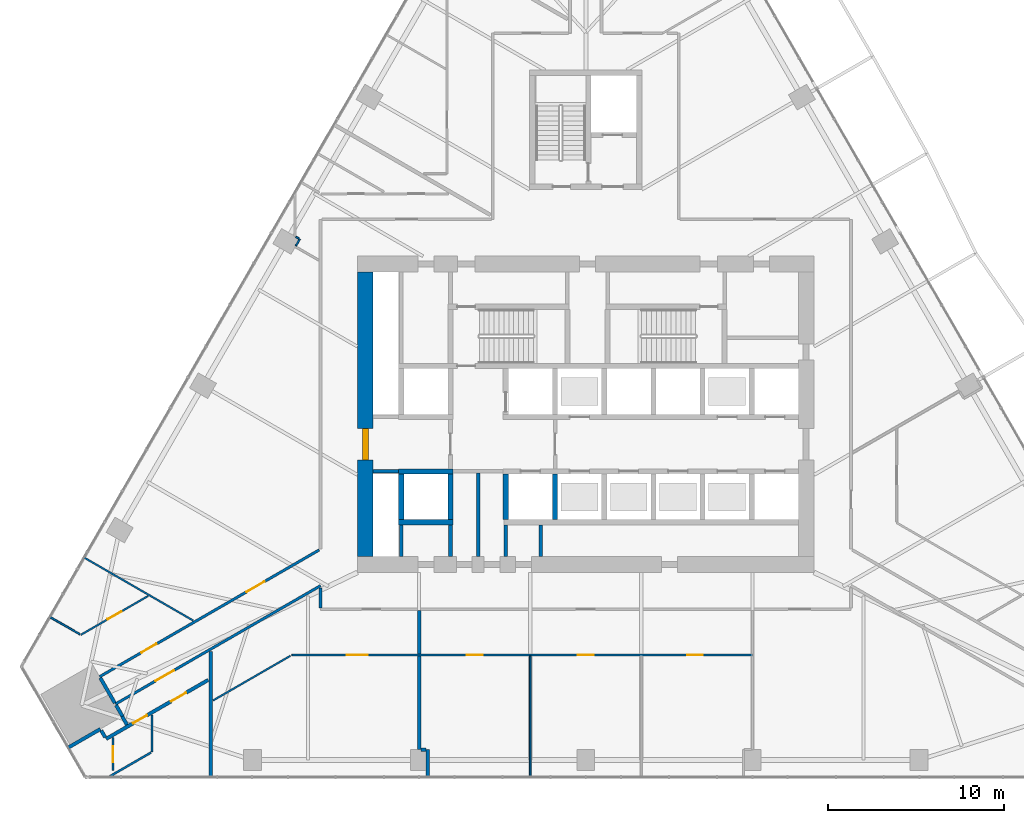
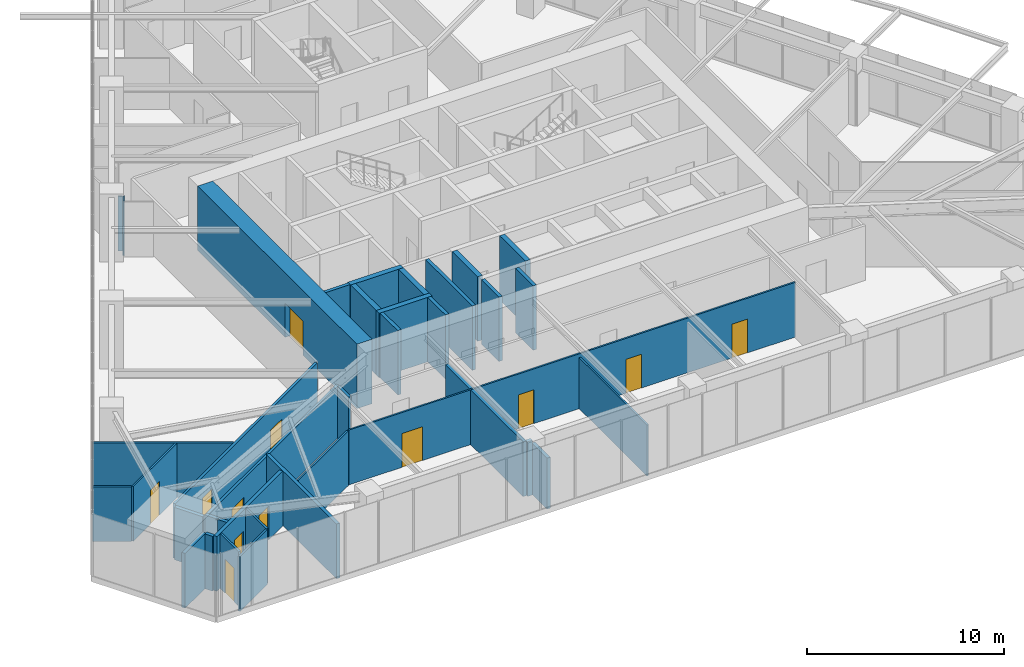
# One storey, part 20 of 26: 38 walls, 12 doors, 12 openings.
"""IFC4 building model written with IfcOpenShell, lengths in metres."""

from ifc_helpers import new_model, si_unit, direction, frame, frame_2d, origin, place, context, subcontext, project, spatial, rectangle, extrude, material, layer, layer_set, type_object, element, fill, save


model = new_model("IFC4")

# Units and contexts
model_context = context("Model", 3, precision=1e-05, world=origin(), true_north=direction((0.0, 1.0)))
body_context = subcontext(model_context, "Body", "Model", "MODEL_VIEW")
ifc_project = project(units=[si_unit("LENGTHUNIT", "METRE"), si_unit("AREAUNIT", "SQUARE_METRE"), si_unit("VOLUMEUNIT", "CUBIC_METRE"), si_unit("PLANEANGLEUNIT", "RADIAN"), si_unit("MASSUNIT", "GRAM", prefix="KILO")], contexts=[model_context])

# Site, building, storey
site_placement = place(None, origin())
site = spatial("IfcSite", under=ifc_project, at=site_placement, CompositionType="ELEMENT")
building_placement = place(site_placement, origin())
building = spatial("IfcBuilding", under=site, at=building_placement, Name="Firuza Gate Tower and Library", CompositionType="ELEMENT")
storey_placement = place(building_placement, frame((0.0, 0.0, 77.800048828125)))
storey = spatial("IfcBuildingStorey", under=building, at=storey_placement, Name="L17", CompositionType="ELEMENT", Elevation=77.800048828125)

# Walls
ifc_material_1 = material(Name="Plasterboard on steel studs", Category="steel")
ifc_layer_1 = layer(ifc_material_1, 0.199951171875)
ifc_layer_set_1 = layer_set([ifc_layer_1], Name="Core partition 200 EI 120")
wall_type_1 = type_object("IfcWallType", Name="Core partition 200 EI 120", PredefinedType="PARTITIONING", material=ifc_layer_set_1)
wall_1_placement = place(storey_placement, frame((62.89990234375, 71.75, 0.0), z_axis=(0.0, 0.0, 1.0), x_axis=(1.0, 0.0, 0.0)))
element("IfcWall", 1, at=wall_1_placement, inside=storey, type_object=wall_type_1, Name="Core partition L17 1", PredefinedType="PARTITIONING", context=body_context, shape_type="SweptSolid", body=[
    extrude(rectangle(XDim=1.4501953125, YDim=0.199951171875, at=frame_2d((0.72509765625, 0.0))), origin(), (0.0, 0.0, 1.0), 4.0),
])
for number, where, z_axis, x_axis, name in (
    (2, (64.5, 66.89990234375, 0.0), (0.0, 0.0, 1.0), (0.0, 1.0, 0.0), "Core partition L17 5"),
    (3, (67.300048828125, 66.89990234375, 0.0), (0.0, 0.0, 1.0), (0.0, 1.0, 0.0), "Core partition L17 7"),
):
    element("IfcWall", number, at=place(storey_placement, frame(where, z_axis=z_axis, x_axis=x_axis)), inside=storey, type_object=wall_type_1, Name=name, PredefinedType="PARTITIONING", context=body_context, shape_type="SweptSolid", body=[
        extrude(rectangle(XDim=1.800048828125, YDim=0.199951171875, at=frame_2d((0.89990234375, 0.0))), origin(), (0.0, 0.0, 1.0), 4.0),
    ])
wall_2_placement = place(storey_placement, frame((68.875, 66.89990234375, 0.0), z_axis=(0.0, 0.0, 1.0), x_axis=(0.0, 1.0, 0.0)))
element("IfcWall", 4, at=wall_2_placement, inside=storey, type_object=wall_type_1, Name="Core partition L17 10", PredefinedType="PARTITIONING", context=body_context, shape_type="SweptSolid", body=[
    extrude(rectangle(XDim=4.75, YDim=0.199951171875, at=frame_2d((2.375, 0.0))), origin(), (0.0, 0.0, 1.0), 4.0),
])
for number, where, z_axis, x_axis, name in (
    (5, (70.449951171875, 66.89990234375, 0.0), (0.0, 0.0, 1.0), (0.0, 1.0, 0.0), "Core partition L17 11"),
    (6, (72.447998046875, 66.89990234375, 0.0), (0.0, 0.0, 1.0), (0.0, 1.0, 0.0), "Core partition L17 12"),
):
    element("IfcWall", number, at=place(storey_placement, frame(where, z_axis=z_axis, x_axis=x_axis)), inside=storey, type_object=wall_type_1, Name=name, PredefinedType="PARTITIONING", context=body_context, shape_type="SweptSolid", body=[
        extrude(rectangle(XDim=1.800048828125, YDim=0.199951171875, at=frame_2d((0.89990234375, 0.0))), origin(), (0.0, 0.0, 1.0), 4.0),
    ])
ifc_material_2 = material(Name="Concrete C80/95", Category="concrete")
ifc_layer_2 = layer(ifc_material_2, 0.300048828125)
ifc_layer_set_2 = layer_set([ifc_layer_2], Name="Core wall 300 C80/95")
wall_type_2 = type_object("IfcWallType", Name="Core wall 300 C80/95", PredefinedType="SHEAR", material=ifc_layer_set_2)
for number, where, z_axis, x_axis, name in (
    (7, (64.35009765625, 68.85009765625, 0.0), (0.0, 0.0, 1.0), (1.0, 0.0, 0.0), "Core wall L17 5"),
    (8, (64.35009765625, 71.75, 0.0), (0.0, 0.0, 1.0), (1.0, 0.0, 0.0), "Core wall L17 7"),
):
    element("IfcWall", number, at=place(storey_placement, frame(where, z_axis=z_axis, x_axis=x_axis)), inside=storey, type_object=wall_type_2, Name=name, PredefinedType="SHEAR", context=body_context, shape_type="SweptSolid", body=[
        extrude(rectangle(XDim=3.099853515625, YDim=0.300048828125, at=frame_2d((1.5498046875, 0.0))), origin(), (0.0, 0.0, 1.0), 4.0),
    ])
for number, where, z_axis, x_axis, name in (
    (9, (64.5, 69.0, 0.0), (0.0, 0.0, 1.0), (0.0, 1.0, 0.0), "Core wall L17 11"),
    (10, (67.300048828125, 69.0, 0.0), (0.0, 0.0, 1.0), (0.0, 1.0, 0.0), "Core wall L17 13"),
    (11, (70.449951171875, 69.0, 0.0), (0.0, 0.0, 1.0), (0.0, 1.0, 0.0), "Core wall L17 15"),
    (12, (73.25, 69.0, 0.0), (0.0, 0.0, 1.0), (0.0, 1.0, 0.0), "Core wall L17 17"),
):
    element("IfcWall", number, at=place(storey_placement, frame(where, z_axis=z_axis, x_axis=x_axis)), inside=storey, type_object=wall_type_2, Name=name, PredefinedType="SHEAR", context=body_context, shape_type="SweptSolid", body=[
        extrude(rectangle(XDim=2.60009765625, YDim=0.300048828125, at=frame_2d((1.300048828125, 0.0))), origin(), (0.0, 0.0, 1.0), 4.0),
    ])

# Wall, opening, door
ifc_material_3 = material(Name="Concrete C80/95", Category="concrete")
ifc_layer_3 = layer(ifc_material_3, 0.89990234375)
ifc_layer_set_3 = layer_set([ifc_layer_3], Name="Core wall 900 C80/95")
wall_type_3 = type_object("IfcWallType", Name="Core wall 900 C80/95", PredefinedType="SHEAR", material=ifc_layer_set_3)
wall_3_placement = place(storey_placement, frame((62.449951171875, 66.89990234375, 0.0), z_axis=(0.0, 0.0, 1.0), x_axis=(0.0, 1.0, 0.0)))
wall_3 = element("IfcWall", 13, at=wall_3_placement, inside=storey, type_object=wall_type_3, Name="Core wall L17 3", PredefinedType="SHEAR", context=body_context, shape_type="SweptSolid", body=[
    extrude(rectangle(XDim=16.2001953125, YDim=0.89990234375, at=frame_2d((8.10009765625, 0.0))), origin(), (0.0, 0.0, 1.0), 4.0),
])
opening_1_placement = place(wall_3_placement, frame((5.5, 0.0, 0.0)))
opening_1 = element("IfcOpeningElement", 14, at=opening_1_placement, cuts=wall_3, Name="Opening L17-K22", PredefinedType="OPENING", context=body_context, shape_type="SweptSolid", body=[
    extrude(rectangle(XDim=1.800048828125, YDim=2.10009765625, at=frame_2d((0.89990234375, 1.050048828125))), frame((0.0, 0.4599609375, 0.0), z_axis=(0.0, -1.0, 0.0), x_axis=(1.0, 0.0, 0.0)), (0.0, 0.0, 1.0), 0.919921875),
])
ifc_material_4 = material(Name="Steel", Category="steel")
door_type_1 = type_object("IfcDoorType", Name="Fire door 1800x2100 FD30S", OperationType="NOTDEFINED", PredefinedType="DOOR", material=ifc_material_4)
door_1_placement = place(opening_1_placement, origin())
door_1 = element("IfcDoor", 15, at=door_1_placement, inside=storey, type_object=door_type_1, Name="Door L17-K22", OperationType="SINGLE_SWING_LEFT", OverallHeight=2.10009765625, OverallWidth=1.800048828125, PredefinedType="DOOR", context=body_context, shape_type="SweptSolid", body=[
    extrude(rectangle(XDim=1.800048828125, YDim=2.10009765625, at=frame_2d((0.89990234375, 1.050048828125))), frame((0.0, 0.169921875, 0.0), z_axis=(0.0, -1.0, 0.0), x_axis=(1.0, 0.0, 0.0)), (0.0, 0.0, 1.0), 0.33984375),
])
fill(opening_1, door_1)

ifc_material_5 = material(Name="Gypsum board partition")
ifc_layer_4 = layer(ifc_material_5, 0.14990234375)
ifc_layer_set_4 = layer_set([ifc_layer_4], Name="Corridor wall 150 double board on steel studs")
wall_type_4 = type_object("IfcWallType", Name="Corridor wall 150 double board on steel studs", PredefinedType="PARTITIONING", material=ifc_layer_set_4)
wall_4_placement = place(storey_placement, frame((59.89990234375, 65.242919921875, 0.0), z_axis=(0.0, 0.0, 1.0), x_axis=(-0.866023326939, -0.500003597184, 0.0)))
wall_4 = element("IfcWall", 16, at=wall_4_placement, inside=storey, type_object=wall_type_4, Name="f:L17:w020", PredefinedType="PARTITIONING", context=body_context, shape_type="SweptSolid", body=[
    extrude(rectangle(XDim=13.48046875, YDim=0.14990234375, at=frame_2d((6.740234375, 0.0))), origin(), (0.0, 0.0, 1.0), 3.2470703125),
])
opening_2_placement = place(wall_4_placement, frame((9.642578125, 0.0, 0.0)))
opening_2 = element("IfcOpeningElement", 17, at=opening_2_placement, cuts=wall_4, Name="Opening L17-18", PredefinedType="OPENING", context=body_context, shape_type="SweptSolid", body=[
    extrude(rectangle(XDim=1.199951171875, YDim=2.10009765625, at=frame_2d((0.60009765625, 1.050048828125))), frame((0.0, 0.0849609375, 0.0), z_axis=(0.0, -1.0, 0.0), x_axis=(1.0, 0.0, 0.0)), (0.0, 0.0, 1.0), 0.169921875),
])
ifc_material_6 = material(Name="Steel door and timber leaf", Category="steel")
door_type_2 = type_object("IfcDoorType", Name="Fire door 1200 x 2100 steel frame, double leaf", OperationType="NOTDEFINED", PredefinedType="DOOR", material=ifc_material_6)
door_2_placement = place(opening_2_placement, origin())
door_2 = element("IfcDoor", 18, at=door_2_placement, inside=storey, type_object=door_type_2, Name="f:L17:d018", OperationType="DOUBLE_DOOR_SINGLE_SWING", OverallHeight=2.10009765625, OverallWidth=1.199951171875, PredefinedType="DOOR", context=body_context, shape_type="SweptSolid", body=[
    extrude(rectangle(XDim=1.199951171875, YDim=2.10009765625, at=frame_2d((0.60009765625, 1.050048828125))), frame((0.0, 0.02490234375, 0.0), z_axis=(0.0, -1.0, 0.0), x_axis=(1.0, 0.0, 0.0)), (0.0, 0.0, 1.0), 0.050048828125),
])
fill(opening_2, door_2)

# Wall, openings, doors
wall_5_placement = place(storey_placement, frame((47.32763671875, 60.062744140625, 0.0), z_axis=(0.0, 0.0, 1.0), x_axis=(0.86602527873, 0.500000216601, 0.0)))
wall_5 = element("IfcWall", 19, at=wall_5_placement, inside=storey, type_object=wall_type_4, Name="f:L17:w021", PredefinedType="PARTITIONING", context=body_context, shape_type="SweptSolid", body=[
    extrude(rectangle(XDim=14.4306640625, YDim=0.14990234375, at=frame_2d((7.21533203125, 0.0))), origin(), (0.0, 0.0, 1.0), 3.39990234375),
])
opening_3_placement = place(wall_5_placement, frame((2.736572265625, 0.0, 0.0)))
opening_3 = element("IfcOpeningElement", 20, at=opening_3_placement, cuts=wall_5, Name="Opening L17-19", PredefinedType="OPENING", context=body_context, shape_type="SweptSolid", body=[
    extrude(rectangle(XDim=1.0, YDim=2.10009765625, at=frame_2d((0.5, 1.050048828125))), frame((0.0, 0.0849609375, 0.0), z_axis=(0.0, -1.0, 0.0), x_axis=(1.0, 0.0, 0.0)), (0.0, 0.0, 1.0), 0.169921875),
])
opening_4_placement = place(wall_5_placement, frame((9.648681640625, 0.0, 0.0)))
opening_4 = element("IfcOpeningElement", 21, at=opening_4_placement, cuts=wall_5, Name="Opening L17-20", PredefinedType="OPENING", context=body_context, shape_type="SweptSolid", body=[
    extrude(rectangle(XDim=1.199951171875, YDim=2.10009765625, at=frame_2d((0.60009765625, 1.050048828125))), frame((0.0, 0.0849609375, 0.0), z_axis=(0.0, -1.0, 0.0), x_axis=(1.0, 0.0, 0.0)), (0.0, 0.0, 1.0), 0.169921875),
])
ifc_material_7 = material(Name="Steel door and timber leaf", Category="steel")
door_type_3 = type_object("IfcDoorType", Name="Fire door 1000 x 2100 steel frame, timber leaf", OperationType="NOTDEFINED", PredefinedType="DOOR", material=ifc_material_7)
door_3_placement = place(opening_3_placement, origin())
door_3 = element("IfcDoor", 22, at=door_3_placement, inside=storey, type_object=door_type_3, Name="f:L17:d019", OperationType="SINGLE_SWING_LEFT", OverallHeight=2.10009765625, OverallWidth=1.0, PredefinedType="DOOR", context=body_context, shape_type="SweptSolid", body=[
    extrude(rectangle(XDim=1.0, YDim=2.10009765625, at=frame_2d((0.5, 1.050048828125))), frame((0.0, 0.02490234375, 0.0), z_axis=(0.0, -1.0, 0.0), x_axis=(1.0, 0.0, 0.0)), (0.0, 0.0, 1.0), 0.050048828125),
])
fill(opening_3, door_3)
door_4_placement = place(opening_4_placement, origin())
door_4 = element("IfcDoor", 23, at=door_4_placement, inside=storey, type_object=door_type_2, Name="f:L17:d020", OperationType="DOUBLE_DOOR_SINGLE_SWING", OverallHeight=2.10009765625, OverallWidth=1.199951171875, PredefinedType="DOOR", context=body_context, shape_type="SweptSolid", body=[
    extrude(rectangle(XDim=1.199951171875, YDim=2.10009765625, at=frame_2d((0.60009765625, 1.050048828125))), frame((0.0, 0.02490234375, 0.0), z_axis=(0.0, -1.0, 0.0), x_axis=(1.0, 0.0, 0.0)), (0.0, 0.0, 1.0), 0.050048828125),
])
fill(opening_4, door_4)

# Walls
wall_6_placement = place(storey_placement, frame((59.89990234375, 63.97509765625, 0.0), z_axis=(0.0, 0.0, 1.0), x_axis=(0.0, 1.0, 0.0)))
element("IfcWall", 24, at=wall_6_placement, inside=storey, type_object=wall_type_4, Name="f:L17:w048", PredefinedType="PARTITIONING", context=body_context, shape_type="SweptSolid", body=[
    extrude(rectangle(XDim=1.131103515625, YDim=0.14990234375, at=frame_2d((0.5654296875, 0.0))), origin(), (0.0, 0.0, 1.0), 3.2470703125),
])
ifc_material_8 = material(Name="Gypsum board partition")
ifc_layer_5 = layer(ifc_material_8, 0.199951171875)
ifc_layer_set_5 = layer_set([ifc_layer_5], Name="Demising wall 200 acoustic double stud")
wall_type_5 = type_object("IfcWallType", Name="Demising wall 200 acoustic double stud", PredefinedType="PARTITIONING", material=ifc_layer_set_5)
wall_7_placement = place(storey_placement, frame((65.624755859375, 55.9140625, 0.0), z_axis=(0.0, 0.0, 1.0), x_axis=(1.0, 0.0, 0.0)))
element("IfcWall", 25, at=wall_7_placement, inside=storey, type_object=wall_type_5, Name="f:L17:w000", PredefinedType="PARTITIONING", context=body_context, shape_type="SweptSolid", body=[
    extrude(rectangle(XDim=0.2900390625, YDim=0.199951171875, at=frame_2d((0.14501953125, 0.0))), origin(), (0.0, 0.0, 1.0), 3.39990234375),
])

# Wall, openings, doors
wall_8_placement = place(storey_placement, frame((47.694580078125, 56.521240234375, 0.0), z_axis=(0.0, 0.0, 1.0), x_axis=(0.86602261799, 0.500004825106, 0.0)))
wall_8 = element("IfcWall", 26, at=wall_8_placement, inside=storey, type_object=wall_type_5, Name="f:L17:w018", PredefinedType="PARTITIONING", context=body_context, shape_type="SweptSolid", body=[
    extrude(rectangle(XDim=6.7109375, YDim=0.199951171875, at=frame_2d((3.35546875, 0.0))), origin(), (0.0, 0.0, 1.0), 3.39990234375),
])
opening_5_placement = place(wall_8_placement, frame((1.77880859375, 0.0, 0.0)))
opening_5 = element("IfcOpeningElement", 27, at=opening_5_placement, cuts=wall_8, Name="Opening L17-16", PredefinedType="OPENING", context=body_context, shape_type="SweptSolid", body=[
    extrude(rectangle(XDim=0.89990234375, YDim=2.10009765625, at=frame_2d((0.449951171875, 1.050048828125))), frame((0.0, 0.10986328125, 0.0), z_axis=(0.0, -1.0, 0.0), x_axis=(1.0, 0.0, 0.0)), (0.0, 0.0, 1.0), 0.219970703125),
])
opening_6_placement = place(wall_8_placement, frame((4.265625, 0.0, 0.0)))
opening_6 = element("IfcOpeningElement", 28, at=opening_6_placement, cuts=wall_8, Name="Opening L17-17", PredefinedType="OPENING", context=body_context, shape_type="SweptSolid", body=[
    extrude(rectangle(XDim=1.0, YDim=2.10009765625, at=frame_2d((0.5, 1.050048828125))), frame((0.0, 0.10986328125, 0.0), z_axis=(0.0, -1.0, 0.0), x_axis=(1.0, 0.0, 0.0)), (0.0, 0.0, 1.0), 0.219970703125),
])
ifc_material_9 = material(Name="Timber door", Category="wood")
door_type_4 = type_object("IfcDoorType", Name="Door 1000 x 2100 timber leaf", OperationType="NOTDEFINED", PredefinedType="DOOR", material=ifc_material_9)
door_5_placement = place(opening_6_placement, origin())
door_5 = element("IfcDoor", 29, at=door_5_placement, inside=storey, type_object=door_type_4, Name="f:L17:d017", OperationType="SINGLE_SWING_RIGHT", OverallHeight=2.10009765625, OverallWidth=1.0, PredefinedType="DOOR", context=body_context, shape_type="SweptSolid", body=[
    extrude(rectangle(XDim=1.0, YDim=2.10009765625, at=frame_2d((0.5, 1.050048828125))), frame((0.0, 0.02490234375, 0.0), z_axis=(0.0, -1.0, 0.0), x_axis=(1.0, 0.0, 0.0)), (0.0, 0.0, 1.0), 0.050048828125),
])
fill(opening_6, door_5)
ifc_material_10 = material(Name="Timber door", Category="wood")
door_type_5 = type_object("IfcDoorType", Name="Door 900 x 2100 timber leaf", OperationType="NOTDEFINED", PredefinedType="DOOR", material=ifc_material_10)
door_6_placement = place(opening_5_placement, origin())
door_6 = element("IfcDoor", 30, at=door_6_placement, inside=storey, type_object=door_type_5, Name="f:L17:d016", OperationType="SINGLE_SWING_LEFT", OverallHeight=2.10009765625, OverallWidth=0.89990234375, PredefinedType="DOOR", context=body_context, shape_type="SweptSolid", body=[
    extrude(rectangle(XDim=0.89990234375, YDim=2.10009765625, at=frame_2d((0.449951171875, 1.050048828125))), frame((0.0, 0.02490234375, 0.0), z_axis=(0.0, -1.0, 0.0), x_axis=(1.0, 0.0, 0.0)), (0.0, 0.0, 1.0), 0.050048828125),
])
fill(opening_5, door_6)

# Walls
wall_9_placement = place(storey_placement, frame((45.5419921875, 56.029541015625, 0.0), z_axis=(0.0, 0.0, 1.0), x_axis=(0.866062227083, 0.499936214752, 0.0)))
element("IfcWall", 31, at=wall_9_placement, inside=storey, type_object=wall_type_5, Name="f:L17:w019", PredefinedType="PARTITIONING", context=body_context, shape_type="SweptSolid", body=[
    extrude(rectangle(XDim=2.109130859375, YDim=0.199951171875, at=frame_2d((1.0546875, 0.0))), origin(), (0.0, 0.0, 1.0), 3.39990234375),
])
wall_10_placement = place(storey_placement, frame((66.014892578125, 54.35400390625, 0.0), z_axis=(0.0, 0.0, 1.0), x_axis=(0.0, 1.0, 0.0)))
element("IfcWall", 32, at=wall_10_placement, inside=storey, type_object=wall_type_5, Name="f:L17:w046", PredefinedType="PARTITIONING", context=body_context, shape_type="SweptSolid", body=[
    extrude(rectangle(XDim=1.56005859375, YDim=0.199951171875, at=frame_2d((0.780029296875, 0.0))), origin(), (0.0, 0.0, 1.0), 3.1650390625),
])
wall_11_placement = place(storey_placement, frame((65.514892578125, 55.9140625, 0.0), z_axis=(0.0, 0.0, 1.0), x_axis=(0.0, 1.0, 0.0)))
element("IfcWall", 33, at=wall_11_placement, inside=storey, type_object=wall_type_5, Name="f:L17:w047", PredefinedType="PARTITIONING", context=body_context, shape_type="SweptSolid", body=[
    extrude(rectangle(XDim=5.3359375, YDim=0.199951171875, at=frame_2d((2.66796875, 0.0))), origin(), (0.0, 0.0, 1.0), 3.39990234375),
])
wall_12_placement = place(storey_placement, frame((53.657958984375, 54.35400390625, 0.0), z_axis=(0.0, 0.0, 1.0), x_axis=(0.0, 1.0, 0.0)))
element("IfcWall", 34, at=wall_12_placement, inside=storey, type_object=wall_type_5, Name="f:L17:w051", PredefinedType="PARTITIONING", context=body_context, shape_type="SweptSolid", body=[
    extrude(rectangle(XDim=7.138427734375, YDim=0.199951171875, at=frame_2d((3.5693359375, 0.0))), origin(), (0.0, 0.0, 1.0), 3.39990234375),
])
wall_13_placement = place(storey_placement, frame((48.62451171875, 57.809814453125, 0.0), z_axis=(0.0, 0.0, 1.0), x_axis=(-0.500053022251, 0.865994789209, 0.0)))
element("IfcWall", 35, at=wall_13_placement, inside=storey, type_object=wall_type_5, Name="f:L17:w056", PredefinedType="PARTITIONING", context=body_context, shape_type="SweptSolid", body=[
    extrude(rectangle(XDim=0.724609375, YDim=0.199951171875, at=frame_2d((0.3623046875, 0.0))), origin(), (0.0, 0.0, 1.0), 3.39990234375),
])
wall_14_placement = place(storey_placement, frame((48.88330078125, 57.323486328125, 0.0), z_axis=(0.0, 0.0, 1.0), x_axis=(-0.499914787221, 0.866074595816, 0.0)))
element("IfcWall", 36, at=wall_14_placement, inside=storey, type_object=wall_type_5, Name="f:L17:w057", PredefinedType="PARTITIONING", context=body_context, shape_type="SweptSolid", body=[
    extrude(rectangle(XDim=0.54931640625, YDim=0.199951171875, at=frame_2d((0.274658203125, 0.0))), origin(), (0.0, 0.0, 1.0), 3.39990234375),
])
wall_15_placement = place(storey_placement, frame((47.64404296875, 56.60791015625, 0.0), z_axis=(0.0, 0.0, 1.0), x_axis=(-0.499644091975, 0.866230789891, 0.0)))
element("IfcWall", 37, at=wall_15_placement, inside=storey, type_object=wall_type_5, Name="f:L17:w058", PredefinedType="PARTITIONING", context=body_context, shape_type="SweptSolid", body=[
    extrude(rectangle(XDim=0.449462890625, YDim=0.199951171875, at=frame_2d((0.224609375, 0.0))), origin(), (0.0, 0.0, 1.0), 3.39990234375),
])
wall_16_placement = place(storey_placement, frame((48.187255859375, 58.567138671875, 0.0), z_axis=(0.0, 0.0, 1.0), x_axis=(-0.500013311227, 0.866017718408, 0.0)))
element("IfcWall", 38, at=wall_16_placement, inside=storey, type_object=wall_type_5, Name="f:L17:w078", PredefinedType="PARTITIONING", context=body_context, shape_type="SweptSolid", body=[
    extrude(rectangle(XDim=1.64697265625, YDim=0.199951171875, at=frame_2d((0.823486328125, 0.0))), origin(), (0.0, 0.0, 1.0), 3.2470703125),
])
wall_17_placement = place(storey_placement, frame((65.514892578125, 61.35009765625, 0.0), z_axis=(0.0, 0.0, 1.0), x_axis=(0.0, 1.0, 0.0)))
element("IfcWall", 39, at=wall_17_placement, inside=storey, type_object=wall_type_5, Name="f:L17:w079", PredefinedType="PARTITIONING", context=body_context, shape_type="SweptSolid", body=[
    extrude(rectangle(XDim=2.474853515625, YDim=0.199951171875, at=frame_2d((1.2373046875, 0.0))), origin(), (0.0, 0.0, 1.0), 3.39990234375),
])

# Wall, openings, doors
ifc_material_11 = material(Name="Gypsum board partition")
ifc_layer_6 = layer(ifc_material_11, 0.10009765625)
ifc_layer_set_6 = layer_set([ifc_layer_6], Name="Partition 100 gypsum board on steel studs")
wall_type_6 = type_object("IfcWallType", Name="Partition 100 gypsum board on steel studs", PredefinedType="PARTITIONING", material=ifc_layer_set_6)
wall_18_placement = place(storey_placement, frame((58.27099609375, 61.300048828125, 0.0), z_axis=(0.0, 0.0, 1.0), x_axis=(1.0, 0.0, 0.0)))
wall_18 = element("IfcWall", 40, at=wall_18_placement, inside=storey, type_object=wall_type_6, Name="f:L17:w002", PredefinedType="PARTITIONING", context=body_context, shape_type="SweptSolid", body=[
    extrude(rectangle(XDim=26.21435546875, YDim=0.10009765625, at=frame_2d((13.107177734375, 0.0))), origin(), (0.0, 0.0, 1.0), 3.39990234375),
])
opening_7_placement = place(wall_18_placement, frame((3.121826171875, 0.0, 0.0)))
opening_7 = element("IfcOpeningElement", 41, at=opening_7_placement, cuts=wall_18, Name="Opening L17-01", PredefinedType="OPENING", context=body_context, shape_type="SweptSolid", body=[
    extrude(rectangle(XDim=1.199951171875, YDim=2.10009765625, at=frame_2d((0.60009765625, 1.050048828125))), frame((0.0, 0.06005859375, 0.0), z_axis=(0.0, -1.0, 0.0), x_axis=(1.0, 0.0, 0.0)), (0.0, 0.0, 1.0), 0.1201171875),
])
opening_8_placement = place(wall_18_placement, frame((9.95703125, 0.0, 0.0)))
opening_8 = element("IfcOpeningElement", 42, at=opening_8_placement, cuts=wall_18, Name="Opening L17-02", PredefinedType="OPENING", context=body_context, shape_type="SweptSolid", body=[
    extrude(rectangle(XDim=0.89990234375, YDim=2.10009765625, at=frame_2d((0.449951171875, 1.050048828125))), frame((0.0, 0.06005859375, 0.0), z_axis=(0.0, -1.0, 0.0), x_axis=(1.0, 0.0, 0.0)), (0.0, 0.0, 1.0), 0.1201171875),
])
opening_9_placement = place(wall_18_placement, frame((16.279052734375, 0.0, 0.0)))
opening_9 = element("IfcOpeningElement", 43, at=opening_9_placement, cuts=wall_18, Name="Opening L17-03", PredefinedType="OPENING", context=body_context, shape_type="SweptSolid", body=[
    extrude(rectangle(XDim=0.89990234375, YDim=2.10009765625, at=frame_2d((0.449951171875, 1.050048828125))), frame((0.0, 0.06005859375, 0.0), z_axis=(0.0, -1.0, 0.0), x_axis=(1.0, 0.0, 0.0)), (0.0, 0.0, 1.0), 0.1201171875),
])
opening_10_placement = place(wall_18_placement, frame((22.501220703125, 0.0, 0.0)))
opening_10 = element("IfcOpeningElement", 44, at=opening_10_placement, cuts=wall_18, Name="Opening L17-04", PredefinedType="OPENING", context=body_context, shape_type="SweptSolid", body=[
    extrude(rectangle(XDim=0.89990234375, YDim=2.10009765625, at=frame_2d((0.449951171875, 1.050048828125))), frame((0.0, 0.06005859375, 0.0), z_axis=(0.0, -1.0, 0.0), x_axis=(1.0, 0.0, 0.0)), (0.0, 0.0, 1.0), 0.1201171875),
])
ifc_material_12 = material(Name="Glazed aluminium door", Category="aluminium")
door_type_6 = type_object("IfcDoorType", Name="Door 1200 x 2100 glazed double leaf", OperationType="NOTDEFINED", PredefinedType="DOOR", material=ifc_material_12)
door_7_placement = place(opening_7_placement, origin())
door_7 = element("IfcDoor", 45, at=door_7_placement, inside=storey, type_object=door_type_6, Name="f:L17:d001", OperationType="DOUBLE_DOOR_SINGLE_SWING", OverallHeight=2.10009765625, OverallWidth=1.199951171875, PredefinedType="DOOR", context=body_context, shape_type="SweptSolid", body=[
    extrude(rectangle(XDim=1.199951171875, YDim=2.10009765625, at=frame_2d((0.60009765625, 1.050048828125))), frame((0.0, 0.02490234375, 0.0), z_axis=(0.0, -1.0, 0.0), x_axis=(1.0, 0.0, 0.0)), (0.0, 0.0, 1.0), 0.050048828125),
])
fill(opening_7, door_7)
door_8_placement = place(opening_8_placement, origin())
door_8 = element("IfcDoor", 46, at=door_8_placement, inside=storey, type_object=door_type_5, Name="f:L17:d002", OperationType="SINGLE_SWING_RIGHT", OverallHeight=2.10009765625, OverallWidth=0.89990234375, PredefinedType="DOOR", context=body_context, shape_type="SweptSolid", body=[
    extrude(rectangle(XDim=0.89990234375, YDim=2.10009765625, at=frame_2d((0.449951171875, 1.050048828125))), frame((0.0, 0.02490234375, 0.0), z_axis=(0.0, -1.0, 0.0), x_axis=(1.0, 0.0, 0.0)), (0.0, 0.0, 1.0), 0.050048828125),
])
fill(opening_8, door_8)
door_9_placement = place(opening_9_placement, origin())
door_9 = element("IfcDoor", 47, at=door_9_placement, inside=storey, type_object=door_type_5, Name="f:L17:d003", OperationType="SINGLE_SWING_LEFT", OverallHeight=2.10009765625, OverallWidth=0.89990234375, PredefinedType="DOOR", context=body_context, shape_type="SweptSolid", body=[
    extrude(rectangle(XDim=0.89990234375, YDim=2.10009765625, at=frame_2d((0.449951171875, 1.050048828125))), frame((0.0, 0.02490234375, 0.0), z_axis=(0.0, -1.0, 0.0), x_axis=(1.0, 0.0, 0.0)), (0.0, 0.0, 1.0), 0.050048828125),
])
fill(opening_9, door_9)
door_10_placement = place(opening_10_placement, origin())
door_10 = element("IfcDoor", 48, at=door_10_placement, inside=storey, type_object=door_type_5, Name="f:L17:d004", OperationType="SINGLE_SWING_RIGHT", OverallHeight=2.10009765625, OverallWidth=0.89990234375, PredefinedType="DOOR", context=body_context, shape_type="SweptSolid", body=[
    extrude(rectangle(XDim=0.89990234375, YDim=2.10009765625, at=frame_2d((0.449951171875, 1.050048828125))), frame((0.0, 0.02490234375, 0.0), z_axis=(0.0, -1.0, 0.0), x_axis=(1.0, 0.0, 0.0)), (0.0, 0.0, 1.0), 0.050048828125),
])
fill(opening_10, door_10)

# Wall
wall_19_placement = place(storey_placement, frame((53.783935546875, 58.709716796875, 0.0), z_axis=(0.0, 0.0, 1.0), x_axis=(0.866049563981, 0.499958150978, 0.0)))
element("IfcWall", 49, at=wall_19_placement, inside=storey, type_object=wall_type_6, Name="f:L17:w017", PredefinedType="PARTITIONING", context=body_context, shape_type="SweptSolid", body=[
    extrude(rectangle(XDim=5.0810546875, YDim=0.10009765625, at=frame_2d((2.54052734375, 0.0))), origin(), (0.0, 0.0, 1.0), 3.39990234375),
])

# Wall, opening, door
wall_20_placement = place(storey_placement, frame((50.08203125, 64.6552734375, 0.0), z_axis=(0.0, 0.0, 1.0), x_axis=(-0.866030989016, -0.499990325971, 0.0)))
wall_20 = element("IfcWall", 50, at=wall_20_placement, inside=storey, type_object=wall_type_6, Name="f:L17:w022", PredefinedType="PARTITIONING", context=body_context, shape_type="SweptSolid", body=[
    extrude(rectangle(XDim=4.41796875, YDim=0.10009765625, at=frame_2d((2.208984375, 0.0))), origin(), (0.0, 0.0, 1.0), 3.39990234375),
])
opening_11_placement = place(wall_20_placement, frame((1.759033203125, 0.0, 0.0)))
opening_11 = element("IfcOpeningElement", 51, at=opening_11_placement, cuts=wall_20, Name="Opening L17-21", PredefinedType="OPENING", context=body_context, shape_type="SweptSolid", body=[
    extrude(rectangle(XDim=0.89990234375, YDim=2.10009765625, at=frame_2d((0.449951171875, 1.050048828125))), frame((0.0, 0.06005859375, 0.0), z_axis=(0.0, -1.0, 0.0), x_axis=(1.0, 0.0, 0.0)), (0.0, 0.0, 1.0), 0.1201171875),
])
door_11_placement = place(opening_11_placement, origin())
door_11 = element("IfcDoor", 52, at=door_11_placement, inside=storey, type_object=door_type_5, Name="f:L17:d021", OperationType="SINGLE_SWING_LEFT", OverallHeight=2.10009765625, OverallWidth=0.89990234375, PredefinedType="DOOR", context=body_context, shape_type="SweptSolid", body=[
    extrude(rectangle(XDim=0.89990234375, YDim=2.10009765625, at=frame_2d((0.449951171875, 1.050048828125))), frame((0.0, 0.02490234375, 0.0), z_axis=(0.0, -1.0, 0.0), x_axis=(1.0, 0.0, 0.0)), (0.0, 0.0, 1.0), 0.050048828125),
])
fill(opening_11, door_11)

# Walls
wall_21_placement = place(storey_placement, frame((58.496337890625, 84.586669921875, 0.0), z_axis=(0.0, 0.0, 1.0), x_axis=(0.500114568548, 0.865959247497, 0.0)))
element("IfcWall", 53, at=wall_21_placement, inside=storey, type_object=wall_type_6, Name="f:L17:w026", PredefinedType="PARTITIONING", context=body_context, shape_type="SweptSolid", body=[
    extrude(rectangle(XDim=0.44921875, YDim=0.10009765625, at=frame_2d((0.224609375, 0.0))), origin(), (0.0, 0.0, 1.0), 3.39990234375),
])
wall_22_placement = place(storey_placement, frame((71.837890625, 54.35400390625, 0.0), z_axis=(0.0, 0.0, 1.0), x_axis=(0.0, 1.0, 0.0)))
element("IfcWall", 54, at=wall_22_placement, inside=storey, type_object=wall_type_6, Name="f:L17:w042", PredefinedType="PARTITIONING", context=body_context, shape_type="SweptSolid", body=[
    extrude(rectangle(XDim=6.89599609375, YDim=0.10009765625, at=frame_2d((3.447998046875, 0.0))), origin(), (0.0, 0.0, 1.0), 3.1650390625),
])
wall_23_placement = place(storey_placement, frame((58.677490234375, 85.001220703125, 0.0), z_axis=(0.0, 0.0, 1.0), x_axis=(-0.86610613113, 0.49986015006, 0.0)))
element("IfcWall", 55, at=wall_23_placement, inside=storey, type_object=wall_type_6, Name="f:L17:w068", PredefinedType="PARTITIONING", context=body_context, shape_type="SweptSolid", body=[
    extrude(rectangle(XDim=0.20458984375, YDim=0.10009765625, at=frame_2d((0.102294921875, 0.0))), origin(), (0.0, 0.0, 1.0), 3.39990234375),
])
wall_24_placement = place(storey_placement, frame((52.656982421875, 63.256103515625, 0.0), z_axis=(0.0, 0.0, 1.0), x_axis=(-0.866014863173, 0.50001825643, 0.0)))
element("IfcWall", 56, at=wall_24_placement, inside=storey, type_object=wall_type_6, Name="f:L17:w071", PredefinedType="PARTITIONING", context=body_context, shape_type="SweptSolid", body=[
    extrude(rectangle(XDim=7.168212890625, YDim=0.10009765625, at=frame_2d((3.583984375, 0.0))), origin(), (0.0, 0.0, 1.0), 3.39990234375),
])
wall_25_placement = place(storey_placement, frame((46.2060546875, 62.47509765625, 0.0), z_axis=(0.0, 0.0, 1.0), x_axis=(-0.866033041146, 0.499986771468, 0.0)))
element("IfcWall", 57, at=wall_25_placement, inside=storey, type_object=wall_type_6, Name="f:L17:w072", PredefinedType="PARTITIONING", context=body_context, shape_type="SweptSolid", body=[
    extrude(rectangle(XDim=1.97216796875, YDim=0.10009765625, at=frame_2d((0.986083984375, 0.0))), origin(), (0.0, 0.0, 1.0), 3.39990234375),
])
ifc_material_13 = material(Name="Gypsum board partition")
ifc_layer_7 = layer(ifc_material_13, 0.1201171875)
ifc_layer_set_7 = layer_set([ifc_layer_7], Name="Wet-area partition 120 moisture-resistant board")
wall_type_7 = type_object("IfcWallType", Name="Wet-area partition 120 moisture-resistant board", PredefinedType="PARTITIONING", material=ifc_layer_set_7)
wall_26_placement = place(storey_placement, frame((47.840087890625, 54.35400390625, 0.0), z_axis=(0.0, 0.0, 1.0), x_axis=(0.866007574053, 0.500030880729, 0.0)))
element("IfcWall", 58, at=wall_26_placement, inside=storey, type_object=wall_type_7, Name="f:L17:w016", PredefinedType="PARTITIONING", context=body_context, shape_type="SweptSolid", body=[
    extrude(rectangle(XDim=2.786376953125, YDim=0.1201171875, at=frame_2d((1.39306640625, 0.0))), origin(), (0.0, 0.0, 1.0), 3.39990234375),
])
wall_27_placement = place(storey_placement, frame((50.31298828125, 55.7822265625, 0.0), z_axis=(0.0, 0.0, 1.0), x_axis=(0.0, 1.0, 0.0)))
element("IfcWall", 59, at=wall_27_placement, inside=storey, type_object=wall_type_7, Name="f:L17:w052", PredefinedType="PARTITIONING", context=body_context, shape_type="SweptSolid", body=[
    extrude(rectangle(XDim=2.095947265625, YDim=0.1201171875, at=frame_2d((1.0478515625, 0.0))), origin(), (0.0, 0.0, 1.0), 3.39990234375),
])

# Wall, opening, door
wall_28_placement = place(storey_placement, frame((48.083984375, 56.5908203125, 0.0), z_axis=(0.0, 0.0, 1.0), x_axis=(0.0, -1.0, 0.0)))
wall_28 = element("IfcWall", 60, at=wall_28_placement, inside=storey, type_object=wall_type_7, Name="f:L17:w053", PredefinedType="PARTITIONING", context=body_context, shape_type="SweptSolid", body=[
    extrude(rectangle(XDim=1.876708984375, YDim=0.1201171875, at=frame_2d((0.9384765625, 0.0))), origin(), (0.0, 0.0, 1.0), 3.39990234375),
])
opening_12_placement = place(wall_28_placement, frame((0.48828125, 0.0, 0.0)))
opening_12 = element("IfcOpeningElement", 61, at=opening_12_placement, cuts=wall_28, Name="Opening L17-28", PredefinedType="OPENING", context=body_context, shape_type="SweptSolid", body=[
    extrude(rectangle(XDim=0.89990234375, YDim=2.10009765625, at=frame_2d((0.449951171875, 1.050048828125))), frame((0.0, 0.070068359375, 0.0), z_axis=(0.0, -1.0, 0.0), x_axis=(1.0, 0.0, 0.0)), (0.0, 0.0, 1.0), 0.14013671875),
])
door_12_placement = place(opening_12_placement, origin())
door_12 = element("IfcDoor", 62, at=door_12_placement, inside=storey, type_object=door_type_5, Name="f:L17:d028", OperationType="SINGLE_SWING_LEFT", OverallHeight=2.10009765625, OverallWidth=0.89990234375, PredefinedType="DOOR", context=body_context, shape_type="SweptSolid", body=[
    extrude(rectangle(XDim=0.89990234375, YDim=2.10009765625, at=frame_2d((0.449951171875, 1.050048828125))), frame((0.0, 0.02490234375, 0.0), z_axis=(0.0, -1.0, 0.0), x_axis=(1.0, 0.0, 0.0)), (0.0, 0.0, 1.0), 0.050048828125),
])
fill(opening_12, door_12)

save(model, "model.ifc")
